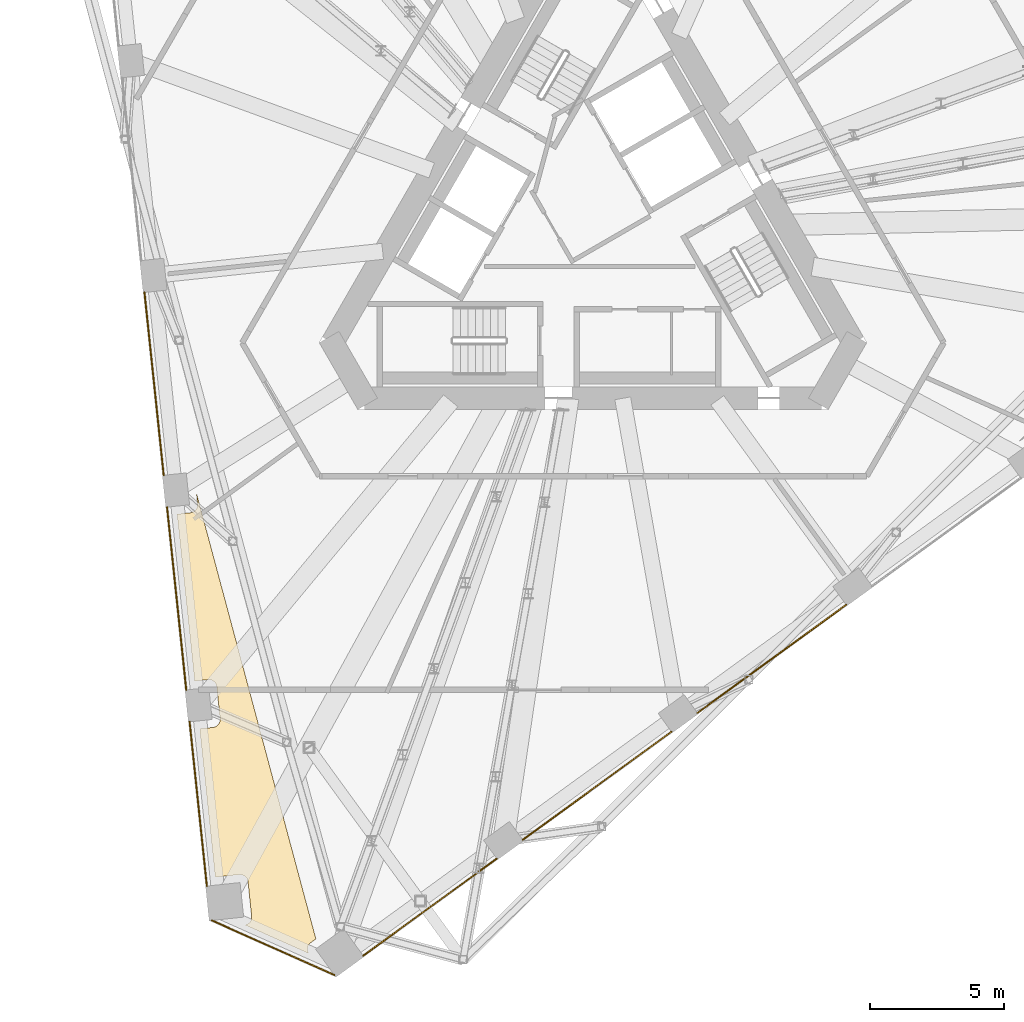
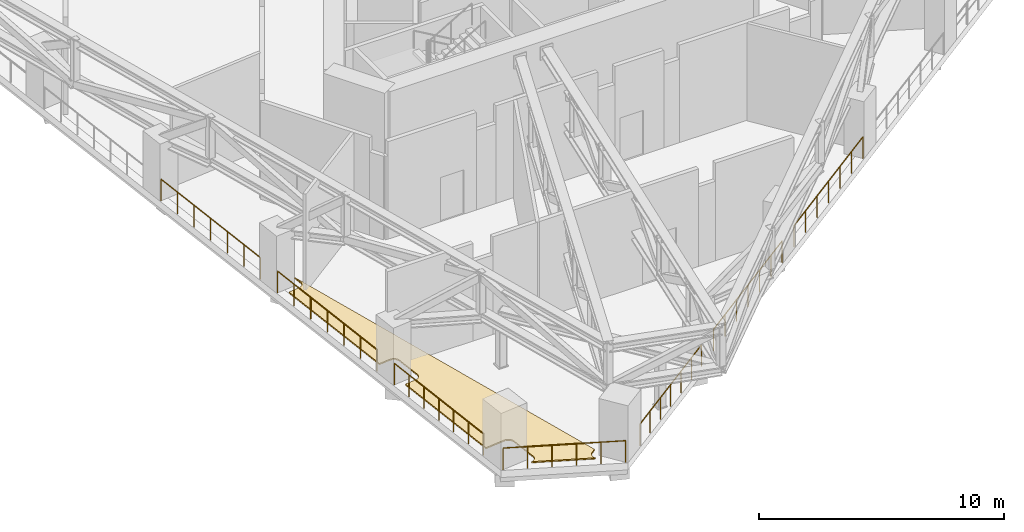
# One storey, part 22 of 26: 7 railings, 2 coverings.
"""IFC4 building model written with IfcOpenShell, lengths in metres."""

from ifc_helpers import new_model, si_unit, direction, frame, origin, origin_2d, place, context, subcontext, project, spatial, polyline, circle, outline, extrude, material, layer, layer_set, type_object, element, save


model = new_model("IFC4")

# Units and contexts
model_context = context("Model", 3, precision=1e-05, world=origin(), true_north=direction((0.0, 1.0)))
body_context = subcontext(model_context, "Body", "Model", "MODEL_VIEW")
ifc_project = project(units=[si_unit("LENGTHUNIT", "METRE"), si_unit("AREAUNIT", "SQUARE_METRE"), si_unit("VOLUMEUNIT", "CUBIC_METRE"), si_unit("PLANEANGLEUNIT", "RADIAN"), si_unit("MASSUNIT", "GRAM", prefix="KILO")], contexts=[model_context])

# Site, building, storey
site_placement = place(None, origin())
site = spatial("IfcSite", under=ifc_project, at=site_placement, CompositionType="ELEMENT")
building_placement = place(site_placement, origin())
building = spatial("IfcBuilding", under=site, at=building_placement, Name="Tramontana Tower", CompositionType="ELEMENT")
storey_placement = place(building_placement, frame((0.0, 0.0, 194.800048828125)))
storey = spatial("IfcBuildingStorey", under=building, at=storey_placement, Name="L45", CompositionType="ELEMENT", Elevation=194.800048828125)

# Railings
ifc_material_1 = material(Name="Stainless steel rail and posts", Category="steel")
railing_type = type_object("IfcRailingType", Name="GD2 Terrace guard 1100", PredefinedType="GUARDRAIL", material=ifc_material_1)
for number, where, name in (
    (1, (-16.79443359375, -2.368408203125, 0.0), "Edge guard L45 5"),
    (2, (-15.949462890625, -10.406982421875, 0.0), "Edge guard L45 6"),
):
    element("IfcRailing", number, at=place(storey_placement, frame(where)), inside=storey, type_object=railing_type, Name=name, PredefinedType="GUARDRAIL", context=body_context, shape_type="SweptSolid", body=[
        extrude(circle(Radius=0.02392578125, at=origin_2d()), frame((0.0, 0.0, 1.076171875), z_axis=(0.104531531326, -0.994521572898, 0.0), x_axis=(0.994521572898, 0.104531531326, 0.0)), (0.0, 0.0, 1.0), 6.8828125),
        extrude(circle(Radius=0.02099609375, at=origin_2d()), origin(), (0.0, 0.0, 1.0), 1.052001953125),
        extrude(circle(Radius=0.02099609375, at=origin_2d()), frame((0.119873046875, -1.140869140625, 0.0)), (0.0, 0.0, 1.0), 1.052001953125),
        extrude(circle(Radius=0.02099609375, at=origin_2d()), frame((0.23974609375, -2.28173828125, 0.0)), (0.0, 0.0, 1.0), 1.052001953125),
        extrude(circle(Radius=0.02099609375, at=origin_2d()), frame((0.35986328125, -3.422607421875, 0.0)), (0.0, 0.0, 1.0), 1.052001953125),
        extrude(circle(Radius=0.02099609375, at=origin_2d()), frame((0.479736328125, -4.5634765625, 0.0)), (0.0, 0.0, 1.0), 1.052001953125),
        extrude(circle(Radius=0.02099609375, at=origin_2d()), frame((0.599609375, -5.704345703125, 0.0)), (0.0, 0.0, 1.0), 1.052001953125),
        extrude(circle(Radius=0.02099609375, at=origin_2d()), frame((0.719482421875, -6.84521484375, 0.0)), (0.0, 0.0, 1.0), 1.052001953125),
    ])
railing_1_placement = place(storey_placement, frame((-15.104736328125, -18.44580078125, 0.0)))
element("IfcRailing", 3, at=railing_1_placement, inside=storey, type_object=railing_type, Name="Edge guard L45 7", PredefinedType="GUARDRAIL", context=body_context, shape_type="SweptSolid", body=[
    extrude(circle(Radius=0.02392578125, at=origin_2d()), frame((0.0, 0.0, 1.076171875), z_axis=(0.104561454596, -0.994518427287, 0.0), x_axis=(0.994518427287, 0.104561454596, 0.0)), (0.0, 0.0, 1.0), 6.182861328125),
    extrude(circle(Radius=0.02099609375, at=origin_2d()), origin(), (0.0, 0.0, 1.0), 1.052001953125),
    extrude(circle(Radius=0.02099609375, at=origin_2d()), frame((0.107666015625, -1.02490234375, 0.0)), (0.0, 0.0, 1.0), 1.052001953125),
    extrude(circle(Radius=0.02099609375, at=origin_2d()), frame((0.215576171875, -2.049560546875, 0.0)), (0.0, 0.0, 1.0), 1.052001953125),
    extrude(circle(Radius=0.02099609375, at=origin_2d()), frame((0.3232421875, -3.074462890625, 0.0)), (0.0, 0.0, 1.0), 1.052001953125),
    extrude(circle(Radius=0.02099609375, at=origin_2d()), frame((0.430908203125, -4.099365234375, 0.0)), (0.0, 0.0, 1.0), 1.052001953125),
    extrude(circle(Radius=0.02099609375, at=origin_2d()), frame((0.538818359375, -5.1240234375, 0.0)), (0.0, 0.0, 1.0), 1.052001953125),
    extrude(circle(Radius=0.02099609375, at=origin_2d()), frame((0.646484375, -6.14892578125, 0.0)), (0.0, 0.0, 1.0), 1.052001953125),
])
railing_2_placement = place(storey_placement, frame((-14.272705078125, -25.88232421875, 0.0)))
element("IfcRailing", 4, at=railing_2_placement, inside=storey, type_object=railing_type, Name="Edge guard L45 8", PredefinedType="GUARDRAIL", context=body_context, shape_type="SweptSolid", body=[
    extrude(circle(Radius=0.02392578125, at=origin_2d()), frame((0.0, 0.0, 1.076171875), z_axis=(0.913528717569, -0.406774239815, 0.0), x_axis=(0.406774239815, 0.913528717569, 0.0)), (0.0, 0.0, 1.0), 5.02294921875),
    extrude(circle(Radius=0.02099609375, at=origin_2d()), origin(), (0.0, 0.0, 1.0), 1.052001953125),
    extrude(circle(Radius=0.02099609375, at=origin_2d()), frame((0.917724609375, -0.40869140625, 0.0)), (0.0, 0.0, 1.0), 1.052001953125),
    extrude(circle(Radius=0.02099609375, at=origin_2d()), frame((1.83544921875, -0.8173828125, 0.0)), (0.0, 0.0, 1.0), 1.052001953125),
    extrude(circle(Radius=0.02099609375, at=origin_2d()), frame((2.753173828125, -1.225830078125, 0.0)), (0.0, 0.0, 1.0), 1.052001953125),
    extrude(circle(Radius=0.02099609375, at=origin_2d()), frame((3.6708984375, -1.634521484375, 0.0)), (0.0, 0.0, 1.0), 1.052001953125),
    extrude(circle(Radius=0.02099609375, at=origin_2d()), frame((4.588623046875, -2.043212890625, 0.0)), (0.0, 0.0, 1.0), 1.052001953125),
])
railing_3_placement = place(storey_placement, frame((-8.60302734375, -27.20166015625, 0.0)))
element("IfcRailing", 5, at=railing_3_placement, inside=storey, type_object=railing_type, Name="Edge guard L45 10", PredefinedType="GUARDRAIL", context=body_context, shape_type="SweptSolid", body=[
    extrude(circle(Radius=0.02392578125, at=origin_2d()), frame((0.0, 0.0, 1.076171875), z_axis=(0.809038209081, 0.587756051646, 0.0), x_axis=(-0.587756051646, 0.809038209081, 0.0)), (0.0, 0.0, 1.0), 6.182861328125),
    extrude(circle(Radius=0.02099609375, at=origin_2d()), origin(), (0.0, 0.0, 1.0), 1.052001953125),
    extrude(circle(Radius=0.02099609375, at=origin_2d()), frame((0.833740234375, 0.605712890625, 0.0)), (0.0, 0.0, 1.0), 1.052001953125),
    extrude(circle(Radius=0.02099609375, at=origin_2d()), frame((1.66748046875, 1.21142578125, 0.0)), (0.0, 0.0, 1.0), 1.052001953125),
    extrude(circle(Radius=0.02099609375, at=origin_2d()), frame((2.5009765625, 1.81689453125, 0.0)), (0.0, 0.0, 1.0), 1.052001953125),
    extrude(circle(Radius=0.02099609375, at=origin_2d()), frame((3.334716796875, 2.422607421875, 0.0)), (0.0, 0.0, 1.0), 1.052001953125),
    extrude(circle(Radius=0.02099609375, at=origin_2d()), frame((4.16845703125, 3.0283203125, 0.0)), (0.0, 0.0, 1.0), 1.052001953125),
    extrude(circle(Radius=0.02099609375, at=origin_2d()), frame((5.002197265625, 3.634033203125, 0.0)), (0.0, 0.0, 1.0), 1.052001953125),
])
railing_4_placement = place(storey_placement, frame((-2.630126953125, -22.8623046875, 0.0)))
element("IfcRailing", 6, at=railing_4_placement, inside=storey, type_object=railing_type, Name="Edge guard L45 12", PredefinedType="GUARDRAIL", context=body_context, shape_type="SweptSolid", body=[
    extrude(circle(Radius=0.02392578125, at=origin_2d()), frame((0.0, 0.0, 1.076171875), z_axis=(0.808999823077, 0.587808885831, 0.0), x_axis=(-0.587808885831, 0.808999823077, 0.0)), (0.0, 0.0, 1.0), 6.883056640625),
    extrude(circle(Radius=0.02099609375, at=origin_2d()), origin(), (0.0, 0.0, 1.0), 1.052001953125),
    extrude(circle(Radius=0.02099609375, at=origin_2d()), frame((0.927978515625, 0.67431640625, 0.0)), (0.0, 0.0, 1.0), 1.052001953125),
    extrude(circle(Radius=0.02099609375, at=origin_2d()), frame((1.856201171875, 1.3486328125, 0.0)), (0.0, 0.0, 1.0), 1.052001953125),
    extrude(circle(Radius=0.02099609375, at=origin_2d()), frame((2.7841796875, 2.02294921875, 0.0)), (0.0, 0.0, 1.0), 1.052001953125),
    extrude(circle(Radius=0.02099609375, at=origin_2d()), frame((3.712158203125, 2.697265625, 0.0)), (0.0, 0.0, 1.0), 1.052001953125),
    extrude(circle(Radius=0.02099609375, at=origin_2d()), frame((4.640380859375, 3.37158203125, 0.0)), (0.0, 0.0, 1.0), 1.052001953125),
    extrude(circle(Radius=0.02099609375, at=origin_2d()), frame((5.568359375, 4.0458984375, 0.0)), (0.0, 0.0, 1.0), 1.052001953125),
])
railing_5_placement = place(storey_placement, frame((3.9091796875, -18.111083984375, 0.0)))
element("IfcRailing", 7, at=railing_5_placement, inside=storey, type_object=railing_type, Name="Edge guard L45 14", PredefinedType="GUARDRAIL", context=body_context, shape_type="SweptSolid", body=[
    extrude(circle(Radius=0.02392578125, at=origin_2d()), frame((0.0, 0.0, 1.076171875), z_axis=(0.809016690404, 0.587785670672, 0.0), x_axis=(-0.587785670672, 0.809016690404, 0.0)), (0.0, 0.0, 1.0), 6.8828125),
    extrude(circle(Radius=0.02099609375, at=origin_2d()), origin(), (0.0, 0.0, 1.0), 1.052001953125),
    extrude(circle(Radius=0.02099609375, at=origin_2d()), frame((0.927978515625, 0.67431640625, 0.0)), (0.0, 0.0, 1.0), 1.052001953125),
    extrude(circle(Radius=0.02099609375, at=origin_2d()), frame((1.856201171875, 1.3486328125, 0.0)), (0.0, 0.0, 1.0), 1.052001953125),
    extrude(circle(Radius=0.02099609375, at=origin_2d()), frame((2.7841796875, 2.02294921875, 0.0)), (0.0, 0.0, 1.0), 1.052001953125),
    extrude(circle(Radius=0.02099609375, at=origin_2d()), frame((3.712158203125, 2.697021484375, 0.0)), (0.0, 0.0, 1.0), 1.052001953125),
    extrude(circle(Radius=0.02099609375, at=origin_2d()), frame((4.640380859375, 3.371337890625, 0.0)), (0.0, 0.0, 1.0), 1.052001953125),
    extrude(circle(Radius=0.02099609375, at=origin_2d()), frame((5.568359375, 4.045654296875, 0.0)), (0.0, 0.0, 1.0), 1.052001953125),
])

# Coverings
ifc_material_2 = material(Name="Limestone paving 60", Category="masonry")
ifc_layer_1 = layer(ifc_material_2, 0.06005859375)
ifc_layer_set_1 = layer_set([ifc_layer_1], Name="PV1 Terrace paving 60")
covering_type_1 = type_object("IfcCoveringType", Name="PV1 Terrace paving 60", PredefinedType="FLOORING", material=ifc_layer_set_1)
covering_1_placement = place(storey_placement, frame((0.0, 0.0, 0.010009765625)))
element("IfcCovering", 8, at=covering_1_placement, inside=storey, type_object=covering_type_1, Name="Terrace paving L45 2", PredefinedType="FLOORING", context=body_context, shape_type="SweptSolid", body=[
    extrude(outline(polyline([(-13.030029296875, -26.052490234375), (-13.018798828125, -26.05078125), (-12.990234375, -26.04345703125), (-12.962646484375, -26.033447265625), (-12.936279296875, -26.0205078125), (-12.9111328125, -26.00537109375), (-12.887451171875, -25.987548828125), (-12.86572265625, -25.9677734375), (-12.84619140625, -25.94580078125), (-12.828857421875, -25.922119140625), (-12.813720703125, -25.896728515625), (-12.801513671875, -25.869873046875), (-12.791748046875, -25.84228515625), (-12.78466796875, -25.8134765625), (-12.780517578125, -25.784423828125), (-12.779296875, -25.755126953125), (-12.781005859375, -25.7255859375), (-12.916748046875, -24.4326171875), (-12.92138671875, -24.403564453125), (-12.9287109375, -24.375244140625), (-12.938720703125, -24.347412109375), (-12.95166015625, -24.321044921875), (-12.966796875, -24.2958984375), (-12.984619140625, -24.272216796875), (-13.00439453125, -24.25048828125), (-13.0263671875, -24.23095703125), (-13.050048828125, -24.213623046875), (-13.075439453125, -24.198486328125), (-13.102294921875, -24.186279296875), (-13.1298828125, -24.176513671875), (-13.15869140625, -24.16943359375), (-13.187744140625, -24.165283203125), (-13.21728515625, -24.1640625), (-13.24658203125, -24.165771484375), (-14.1416015625, -24.259765625), (-14.72509765625, -18.70751953125), (-14.22802734375, -18.6552734375), (-14.19873046875, -18.650634765625), (-14.17041015625, -18.643310546875), (-14.142578125, -18.63330078125), (-14.1162109375, -18.62060546875), (-14.091064453125, -18.605224609375), (-14.0673828125, -18.58740234375), (-14.0458984375, -18.567626953125), (-14.026123046875, -18.545654296875), (-14.0087890625, -18.52197265625), (-13.993896484375, -18.49658203125), (-13.9814453125, -18.469970703125), (-13.9716796875, -18.442138671875), (-13.964599609375, -18.41357421875), (-13.96044921875, -18.38427734375), (-13.959228515625, -18.35498046875), (-13.9609375, -18.325439453125), (-14.08642578125, -17.132080078125), (-14.0908203125, -17.10302734375), (-14.09814453125, -17.074462890625), (-14.1083984375, -17.046875), (-14.12109375, -17.020263671875), (-14.136474609375, -16.9951171875), (-14.154052734375, -16.9716796875), (-14.174072265625, -16.949951171875), (-14.196044921875, -16.930419921875), (-14.2197265625, -16.912841796875), (-14.2451171875, -16.89794921875), (-14.271728515625, -16.885498046875), (-14.299560546875, -16.875732421875), (-14.328125, -16.868896484375), (-14.357177734375, -16.86474609375), (-14.38671875, -16.863525390625), (-14.416015625, -16.864990234375), (-14.913330078125, -16.917236328125), (-15.570068359375, -10.6689453125), (-15.07275390625, -10.61669921875), (-15.043701171875, -10.612060546875), (-15.01513671875, -10.604736328125), (-14.987548828125, -10.5947265625), (-14.9609375, -10.581787109375), (-14.935791015625, -10.566650390625), (-14.912353515625, -10.548828125), (-14.890625, -10.529052734375), (-14.87109375, -10.507080078125), (-14.853759765625, -10.4833984375), (-14.838623046875, -10.4580078125), (-14.826171875, -10.43115234375), (-14.816650390625, -10.403564453125), (-14.8095703125, -10.374755859375), (-14.805419921875, -10.345703125), (-14.80419921875, -10.316162109375), (-14.805908203125, -10.286865234375), (-14.848388671875, -9.88134765625), (-10.375732421875, -26.57373046875), (-10.565673828125, -26.7119140625), (-10.588623046875, -26.73046875), (-10.609619140625, -26.7509765625), (-10.628662109375, -26.7734375), (-10.645263671875, -26.7978515625), (-10.659423828125, -26.82373046875), (-10.6708984375, -26.850830078125), (-10.6796875, -26.87890625), (-10.685791015625, -26.90771484375), (-10.68896484375, -26.93701171875), (-10.689208984375, -26.96630859375), (-10.6865234375, -26.99560546875), (-10.68115234375, -27.024658203125), (-10.6728515625, -27.052978515625), (-10.661865234375, -27.080078125), (-10.648193359375, -27.106201171875), (-10.64208984375, -27.11572265625), (-13.030029296875, -26.052490234375)])), origin(), (0.0, 0.0, 1.0), 0.06005859375),
])
ifc_material_3 = material(Name="Bituminous waterproofing membrane")
ifc_layer_2 = layer(ifc_material_3, 0.010009765625)
ifc_layer_set_2 = layer_set([ifc_layer_2], Name="WP1 Terrace waterproofing membrane 10")
covering_type_2 = type_object("IfcCoveringType", Name="WP1 Terrace waterproofing membrane 10", PredefinedType="MEMBRANE", material=ifc_layer_set_2)
covering_2_placement = place(storey_placement, origin())
element("IfcCovering", 9, at=covering_2_placement, inside=storey, type_object=covering_type_2, Name="Terrace membrane L45 2", PredefinedType="MEMBRANE", context=body_context, shape_type="SweptSolid", body=[
    extrude(outline(polyline([(-13.030029296875, -26.052490234375), (-13.018798828125, -26.05078125), (-12.990234375, -26.04345703125), (-12.962646484375, -26.033447265625), (-12.936279296875, -26.0205078125), (-12.9111328125, -26.00537109375), (-12.887451171875, -25.987548828125), (-12.86572265625, -25.9677734375), (-12.84619140625, -25.94580078125), (-12.828857421875, -25.922119140625), (-12.813720703125, -25.896728515625), (-12.801513671875, -25.869873046875), (-12.791748046875, -25.84228515625), (-12.78466796875, -25.8134765625), (-12.780517578125, -25.784423828125), (-12.779296875, -25.755126953125), (-12.781005859375, -25.7255859375), (-12.916748046875, -24.4326171875), (-12.92138671875, -24.403564453125), (-12.9287109375, -24.375244140625), (-12.938720703125, -24.347412109375), (-12.95166015625, -24.321044921875), (-12.966796875, -24.2958984375), (-12.984619140625, -24.272216796875), (-13.00439453125, -24.25048828125), (-13.0263671875, -24.23095703125), (-13.050048828125, -24.213623046875), (-13.075439453125, -24.198486328125), (-13.102294921875, -24.186279296875), (-13.1298828125, -24.176513671875), (-13.15869140625, -24.16943359375), (-13.187744140625, -24.165283203125), (-13.21728515625, -24.1640625), (-13.24658203125, -24.165771484375), (-14.1416015625, -24.259765625), (-14.72509765625, -18.70751953125), (-14.22802734375, -18.6552734375), (-14.19873046875, -18.650634765625), (-14.17041015625, -18.643310546875), (-14.142578125, -18.63330078125), (-14.1162109375, -18.62060546875), (-14.091064453125, -18.605224609375), (-14.0673828125, -18.58740234375), (-14.0458984375, -18.567626953125), (-14.026123046875, -18.545654296875), (-14.0087890625, -18.52197265625), (-13.993896484375, -18.49658203125), (-13.9814453125, -18.469970703125), (-13.9716796875, -18.442138671875), (-13.964599609375, -18.41357421875), (-13.96044921875, -18.38427734375), (-13.959228515625, -18.35498046875), (-13.9609375, -18.325439453125), (-14.08642578125, -17.132080078125), (-14.0908203125, -17.10302734375), (-14.09814453125, -17.074462890625), (-14.1083984375, -17.046875), (-14.12109375, -17.020263671875), (-14.136474609375, -16.9951171875), (-14.154052734375, -16.9716796875), (-14.174072265625, -16.949951171875), (-14.196044921875, -16.930419921875), (-14.2197265625, -16.912841796875), (-14.2451171875, -16.89794921875), (-14.271728515625, -16.885498046875), (-14.299560546875, -16.875732421875), (-14.328125, -16.868896484375), (-14.357177734375, -16.86474609375), (-14.38671875, -16.863525390625), (-14.416015625, -16.864990234375), (-14.913330078125, -16.917236328125), (-15.570068359375, -10.6689453125), (-15.07275390625, -10.61669921875), (-15.043701171875, -10.612060546875), (-15.01513671875, -10.604736328125), (-14.987548828125, -10.5947265625), (-14.9609375, -10.581787109375), (-14.935791015625, -10.566650390625), (-14.912353515625, -10.548828125), (-14.890625, -10.529052734375), (-14.87109375, -10.507080078125), (-14.853759765625, -10.4833984375), (-14.838623046875, -10.4580078125), (-14.826171875, -10.43115234375), (-14.816650390625, -10.403564453125), (-14.8095703125, -10.374755859375), (-14.805419921875, -10.345703125), (-14.80419921875, -10.316162109375), (-14.805908203125, -10.286865234375), (-14.848388671875, -9.88134765625), (-10.375732421875, -26.57373046875), (-10.565673828125, -26.7119140625), (-10.588623046875, -26.73046875), (-10.609619140625, -26.7509765625), (-10.628662109375, -26.7734375), (-10.645263671875, -26.7978515625), (-10.659423828125, -26.82373046875), (-10.6708984375, -26.850830078125), (-10.6796875, -26.87890625), (-10.685791015625, -26.90771484375), (-10.68896484375, -26.93701171875), (-10.689208984375, -26.96630859375), (-10.6865234375, -26.99560546875), (-10.68115234375, -27.024658203125), (-10.6728515625, -27.052978515625), (-10.661865234375, -27.080078125), (-10.648193359375, -27.106201171875), (-10.64208984375, -27.11572265625), (-13.030029296875, -26.052490234375)])), origin(), (0.0, 0.0, 1.0), 0.010009765625),
])

save(model, "model.ifc")
